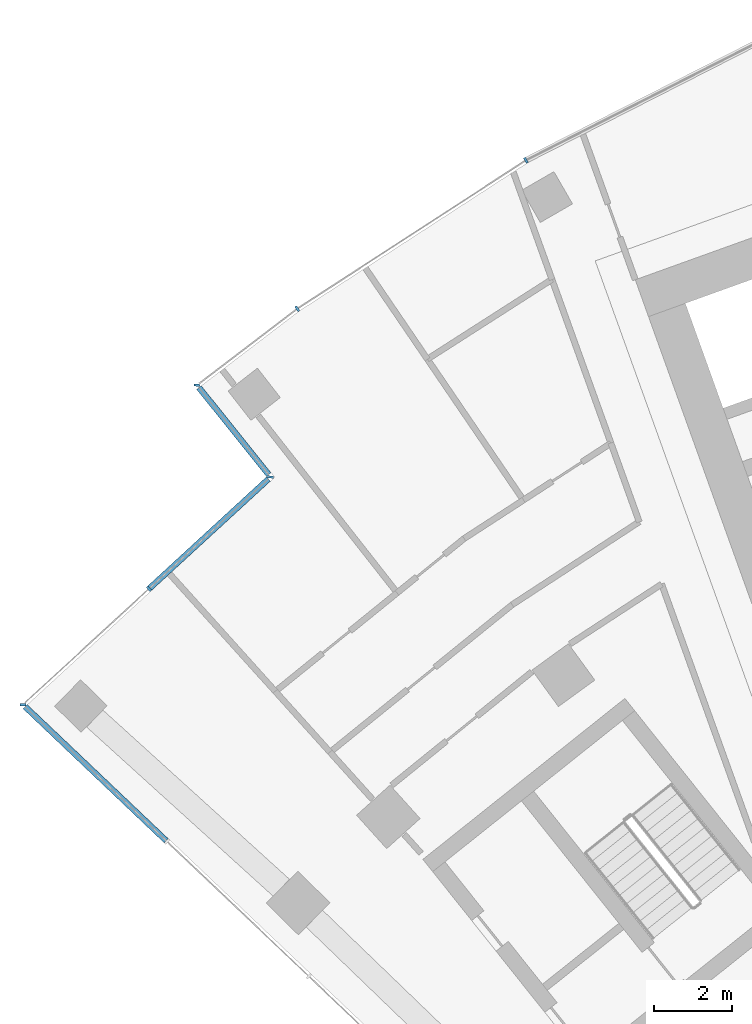
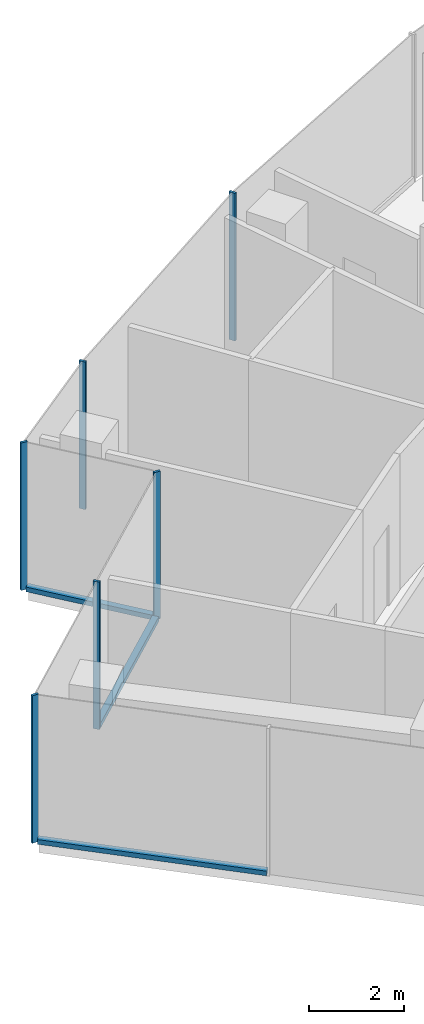
# One storey, part 3 of 19: 9 members, 4 elements without a shape of their own.
"""IFC4 building model written with IfcOpenShell, lengths in metres."""

from ifc_helpers import new_model, si_unit, direction, frame, origin, origin_2d, place, context, subcontext, project, spatial, rectangle, extrude, material, layer, layer_set, material_profile, profile_set, type_object, element, aggregate, save


model = new_model("IFC4")

# Units and contexts
model_context = context("Model", 3, precision=1e-05, world=origin(), true_north=direction((0.0, 1.0)))
body_context = subcontext(model_context, "Body", "Model", "MODEL_VIEW")
ifc_project = project(units=[si_unit("LENGTHUNIT", "METRE"), si_unit("AREAUNIT", "SQUARE_METRE"), si_unit("VOLUMEUNIT", "CUBIC_METRE"), si_unit("PLANEANGLEUNIT", "RADIAN"), si_unit("MASSUNIT", "GRAM", prefix="KILO")], contexts=[model_context])

# Site, building, storey
site_placement = place(None, origin())
site = spatial("IfcSite", under=ifc_project, at=site_placement, CompositionType="ELEMENT")
building_placement = place(site_placement, origin())
building = spatial("IfcBuilding", under=site, at=building_placement, Name="Stone Belt Terrace Tower", CompositionType="ELEMENT")
storey_placement = place(building_placement, frame((0.0, 0.0, 204.800048828125)))
storey = spatial("IfcBuildingStorey", under=building, at=storey_placement, Name="L49", CompositionType="ELEMENT", Elevation=204.800048828125)

# Curtain wall, members
ifc_material = material(Name="Aluminium 6063-T6 anodised frame", Category="aluminium")
ifc_layer_1 = layer(ifc_material, 0.14990234375)
ifc_layer_set_1 = layer_set([ifc_layer_1], Name="CW-A unitised convex-face curtain wall")
curtain_wall_type_1 = type_object("IfcCurtainWallType", Name="CW-A unitised convex-face curtain wall", PredefinedType="NOTDEFINED", material=ifc_layer_set_1)
curtain_wall_1_placement = place(storey_placement, origin())
curtain_wall_1 = element("IfcCurtainWall", 1, at=curtain_wall_1_placement, inside=storey, type_object=curtain_wall_type_1, Name="CW-A convex face L49", PredefinedType="NOTDEFINED")
ifc_material_profile_1 = material_profile(ifc_material, rectangle(XDim=0.14990234375, YDim=0.06005859375, at=origin_2d()), Name="Aluminium 6063-T6 60x150")
ifc_profile_set_1 = profile_set([ifc_material_profile_1], Name="Aluminium 6063-T6 anodised frame")
member_type_1 = type_object("IfcMemberType", Name="CW-A mullion 60 x 150", PredefinedType="MULLION", material=ifc_profile_set_1)
member_1_placement = place(storey_placement, frame((-33.28759765625, 57.65576171875, 0.0), z_axis=(0.0, 0.0, 1.0), x_axis=(0.5, -0.866025403784, 0.0)))
member_1 = element("IfcMember", 2, at=member_1_placement, type_object=member_type_1, Name="CW-A mullion 14", PredefinedType="MULLION", context=body_context, shape_type="SweptSolid", body=[
    extrude(rectangle(XDim=0.14990234375, YDim=0.06005859375, at=origin_2d()), origin(), (0.0, 0.0, 1.0), 3.800048828125),
])
member_2_placement = place(storey_placement, frame((-39.130859375, 53.861083984375, 0.0), z_axis=(0.0, 0.0, 1.0), x_axis=(0.576101937282, -0.81737785501, 0.0)))
member_2 = element("IfcMember", 3, at=member_2_placement, type_object=member_type_1, Name="CW-A mullion 15", PredefinedType="MULLION", context=body_context, shape_type="SweptSolid", body=[
    extrude(rectangle(XDim=0.14990234375, YDim=0.06005859375, at=origin_2d()), origin(), (0.0, 0.0, 1.0), 3.800048828125),
])
aggregate(curtain_wall_1, [member_1, member_2])

# Curtain wall, member
ifc_layer_2 = layer(ifc_material, 0.14990234375)
ifc_layer_set_2 = layer_set([ifc_layer_2], Name="CW-C stick curtain wall, horn ends and notches")
curtain_wall_type_2 = type_object("IfcCurtainWallType", Name="CW-C stick curtain wall, horn ends and notches", PredefinedType="NOTDEFINED", material=ifc_layer_set_2)
curtain_wall_2_placement = place(storey_placement, origin())
curtain_wall_2 = element("IfcCurtainWall", 4, at=curtain_wall_2_placement, inside=storey, type_object=curtain_wall_type_2, Name="CW-C notch face L49", PredefinedType="NOTDEFINED")
ifc_material_profile_2 = material_profile(ifc_material, rectangle(XDim=0.14990234375, YDim=0.06005859375, at=origin_2d()), Name="Aluminium 6063-T6 60x150")
ifc_profile_set_2 = profile_set([ifc_material_profile_2], Name="Aluminium 6063-T6 anodised frame")
member_type_2 = type_object("IfcMemberType", Name="CW-C mullion 60 x 150", PredefinedType="MULLION", material=ifc_profile_set_2)
member_3_placement = place(storey_placement, frame((-41.69189453125, 51.90625, 0.0), z_axis=(0.0, 0.0, 1.0), x_axis=(0.992610915528, -0.121340720183, 0.0)))
member_3 = element("IfcMember", 5, at=member_3_placement, type_object=member_type_2, Name="CW-C mullion 1", PredefinedType="MULLION", context=body_context, shape_type="SweptSolid", body=[
    extrude(rectangle(XDim=0.14990234375, YDim=0.06005859375, at=origin_2d()), origin(), (0.0, 0.0, 1.0), 3.800048828125),
])

# Curtain wall, members
curtain_wall_3_placement = place(storey_placement, origin())
curtain_wall_3 = element("IfcCurtainWall", 6, at=curtain_wall_3_placement, inside=storey, type_object=curtain_wall_type_2, Name="CW-C notch face L49", PredefinedType="NOTDEFINED")
member_4_placement = place(storey_placement, frame((-39.8115234375, 49.56005859375, 0.0), z_axis=(0.0, 0.0, 1.0), x_axis=(0.99711393405, -0.07591971103, 0.0)))
member_4 = element("IfcMember", 7, at=member_4_placement, type_object=member_type_2, Name="CW-C mullion 1", PredefinedType="MULLION", context=body_context, shape_type="SweptSolid", body=[
    extrude(rectangle(XDim=0.14990234375, YDim=0.06005859375, at=origin_2d()), origin(), (0.0, 0.0, 1.0), 3.800048828125),
])
member_5_placement = place(storey_placement, frame((-42.92138671875, 46.701904296875, 0.0), z_axis=(0.0, 0.0, 1.0), x_axis=(0.676676945985, -0.736280049148, 0.0)))
member_5 = element("IfcMember", 8, at=member_5_placement, type_object=member_type_2, Name="CW-C mullion 2", PredefinedType="MULLION", context=body_context, shape_type="SweptSolid", body=[
    extrude(rectangle(XDim=0.14990234375, YDim=0.06005859375, at=origin_2d()), origin(), (0.0, 0.0, 1.0), 3.800048828125),
])

# Curtain wall, member
curtain_wall_4_placement = place(storey_placement, origin())
curtain_wall_4 = element("IfcCurtainWall", 9, at=curtain_wall_4_placement, inside=storey, type_object=curtain_wall_type_2, Name="CW-C end face L49", PredefinedType="NOTDEFINED")
member_6_placement = place(storey_placement, frame((-46.141845703125, 43.7421875, 0.0), z_axis=(0.0, 0.0, 1.0), x_axis=(0.999965358551, -0.008323562836, 0.0)))
member_6 = element("IfcMember", 10, at=member_6_placement, type_object=member_type_2, Name="CW-C mullion 1", PredefinedType="MULLION", context=body_context, shape_type="SweptSolid", body=[
    extrude(rectangle(XDim=0.14990234375, YDim=0.06005859375, at=origin_2d()), origin(), (0.0, 0.0, 1.0), 3.800048828125),
])

# Member
ifc_material_profile_3 = material_profile(ifc_material, rectangle(XDim=0.14990234375, YDim=0.1201171875, at=origin_2d()), Name="Aluminium 6063-T6 150x120")
ifc_profile_set_3 = profile_set([ifc_material_profile_3], Name="Aluminium 6063-T6 anodised frame")
member_type_3 = type_object("IfcMemberType", Name="CW-C transom 120 x 150", PredefinedType="USERDEFINED", material=ifc_profile_set_3)
member_7_placement = place(storey_placement, frame((-41.645263671875, 51.84814453125, 0.06005859375), z_axis=(0.625350914086, -0.780343664197, 0.0), x_axis=(0.780343664197, 0.625350914086, 0.0)))
member_7 = element("IfcMember", 11, at=member_7_placement, type_object=member_type_3, Name="CW-C transom 1.1", ObjectType="TRANSOM", PredefinedType="USERDEFINED", context=body_context, shape_type="SweptSolid", body=[
    extrude(rectangle(XDim=0.14990234375, YDim=0.1201171875, at=origin_2d()), origin(), (0.0, 0.0, 1.0), 2.85888671875),
])

aggregate(curtain_wall_2, [member_3, member_7])

member_8_placement = place(storey_placement, frame((-39.865478515625, 49.510498046875, 0.06005859375), z_axis=(-0.736309968185, -0.676644390172, 0.0), x_axis=(0.676644390172, -0.736309968185, 0.0)))
member_8 = element("IfcMember", 12, at=member_8_placement, type_object=member_type_3, Name="CW-C transom 1.1", ObjectType="TRANSOM", PredefinedType="USERDEFINED", context=body_context, shape_type="SweptSolid", body=[
    extrude(rectangle(XDim=0.14990234375, YDim=0.1201171875, at=origin_2d()), origin(), (0.0, 0.0, 1.0), 4.120361328125),
])

aggregate(curtain_wall_3, [member_4, member_5, member_8])

member_9_placement = place(storey_placement, frame((-46.08740234375, 43.6904296875, 0.06005859375), z_axis=(0.72491121173, -0.688842315126, 0.0), x_axis=(0.688842315126, 0.72491121173, 0.0)))
member_9 = element("IfcMember", 13, at=member_9_placement, type_object=member_type_3, Name="CW-C transom 1.1", ObjectType="TRANSOM", PredefinedType="USERDEFINED", context=body_context, shape_type="SweptSolid", body=[
    extrude(rectangle(XDim=0.14990234375, YDim=0.1201171875, at=origin_2d()), origin(), (0.0, 0.0, 1.0), 4.97509765625),
])

aggregate(curtain_wall_4, [member_6, member_9])

save(model, "model.ifc")
